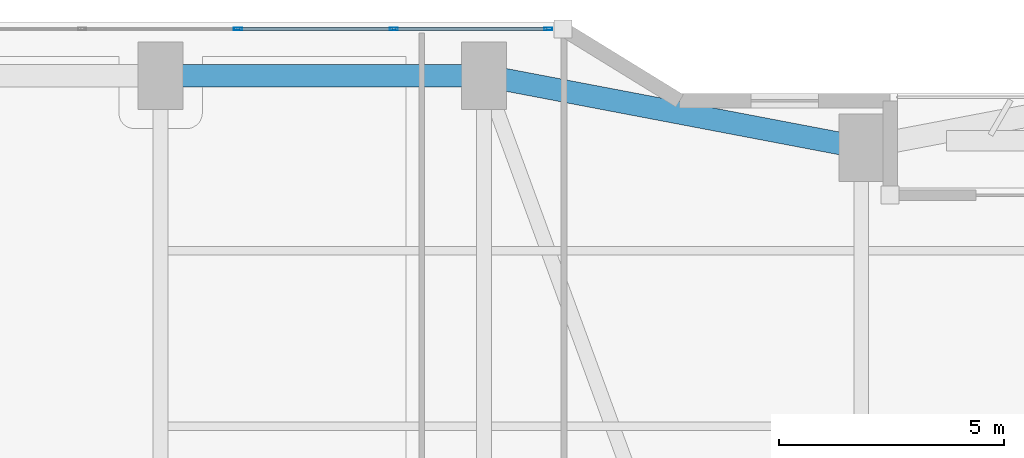
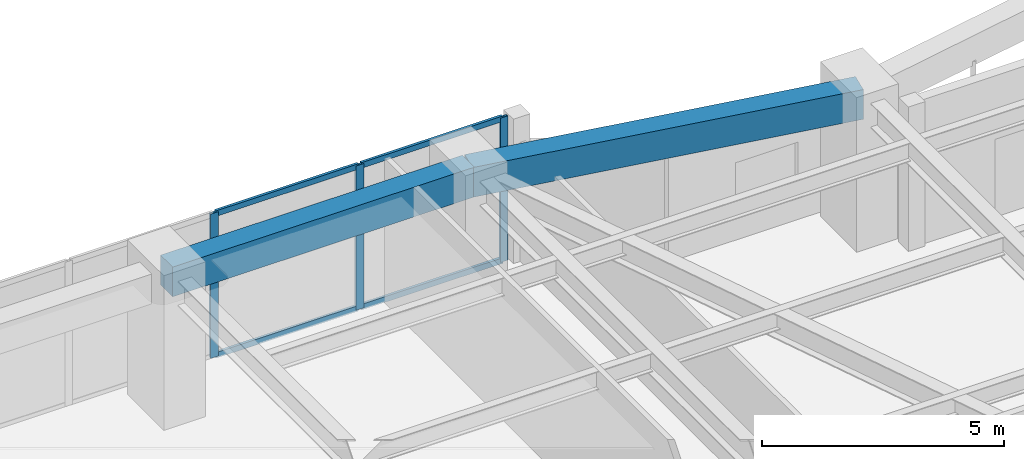
# One storey, part 14 of 24: 7 members, 2 beams, 1 element without a shape of its own.
"""IFC4 building model written with IfcOpenShell, lengths in metres."""

from ifc_helpers import new_model, si_unit, direction, frame, origin, origin_2d, place, context, subcontext, project, spatial, rectangle, hollow_rectangle, extrude, material, layer, layer_set, material_profile, profile_set, type_object, element, aggregate, save


model = new_model("IFC4")

# Units and contexts
model_context = context("Model", 3, precision=1e-05, world=origin(), true_north=direction((0.0, 1.0)))
body_context = subcontext(model_context, "Body", "Model", "MODEL_VIEW")
ifc_project = project(units=[si_unit("LENGTHUNIT", "METRE"), si_unit("AREAUNIT", "SQUARE_METRE"), si_unit("VOLUMEUNIT", "CUBIC_METRE"), si_unit("PLANEANGLEUNIT", "RADIAN"), si_unit("MASSUNIT", "GRAM", prefix="KILO")], contexts=[model_context])

# Site, building, storey
site_placement = place(None, origin())
site = spatial("IfcSite", under=ifc_project, at=site_placement, CompositionType="ELEMENT")
building_placement = place(site_placement, origin())
building = spatial("IfcBuilding", under=site, at=building_placement, Name="Kiyonajd Concourse Tower", CompositionType="ELEMENT")
storey_placement = place(building_placement, frame((0.0, 0.0, 85.800048828125)))
storey = spatial("IfcBuildingStorey", under=building, at=storey_placement, Name="L22", CompositionType="ELEMENT", Elevation=85.800048828125)

# Beams
ifc_material_1 = material(Name="Precast concrete C50/60", Category="concrete")
ifc_material_profile_1 = material_profile(ifc_material_1, rectangle(XDim=0.5, YDim=0.75, at=origin_2d()), Name="RCBM-500x750")
ifc_profile_set_1 = profile_set([ifc_material_profile_1], Name="Precast concrete C50/60")
beam_type = type_object("IfcBeamType", Name="BM-SPAN-RC", PredefinedType="SPANDREL", material=ifc_profile_set_1)
beam_1_placement = place(storey_placement, frame((48.0, 59.60009765625, 3.264892578125), z_axis=(-0.982341315253, 0.187097675953, 0.0), x_axis=(-0.187097675953, -0.982341315253, 0.0)))
element("IfcBeam", 1, at=beam_1_placement, inside=storey, type_object=beam_type, Name="L22 Perimeter Bundled Tube Spandrel", PredefinedType="SPANDREL", context=body_context, shape_type="SweptSolid", body=[
    extrude(rectangle(XDim=0.5, YDim=0.75, at=origin_2d()), origin(), (0.0, 0.0, 1.0), 8.55078125),
])
beam_2_placement = place(storey_placement, frame((39.60009765625, 61.199951171875, 3.264892578125), z_axis=(-1.0, 0.0, 0.0), x_axis=(0.0, -1.0, 0.0)))
element("IfcBeam", 2, at=beam_2_placement, inside=storey, type_object=beam_type, Name="L22 Perimeter Bundled Tube Spandrel", PredefinedType="SPANDREL", context=body_context, shape_type="SweptSolid", body=[
    extrude(rectangle(XDim=0.5, YDim=0.75, at=origin_2d()), origin(), (0.0, 0.0, 1.0), 7.2001953125),
])

# Curtain wall, members
ifc_material_2 = material(Name="Thermally Broken Anodised Aluminium", Category="aluminium")
ifc_layer = layer(ifc_material_2, 0.179931640625)
ifc_layer_set = layer_set([ifc_layer], Name="Thermally Broken Anodised Aluminium")
curtain_wall_type = type_object("IfcCurtainWallType", Name="CW-SYS-03", PredefinedType="NOTDEFINED", material=ifc_layer_set)
curtain_wall_placement = place(storey_placement, origin())
curtain_wall = element("IfcCurtainWall", 3, at=curtain_wall_placement, inside=storey, type_object=curtain_wall_type, Name="L22 Unitised Curtain Wall CW3", PredefinedType="NOTDEFINED")
ifc_material_profile_2 = material_profile(ifc_material_2, hollow_rectangle(XDim=0.06494140625, YDim=0.179931640625, WallThickness=0.00390625, at=origin_2d()), Name="MULL-65x180")
ifc_profile_set_2 = profile_set([ifc_material_profile_2], Name="Thermally Broken Anodised Aluminium")
member_type_1 = type_object("IfcMemberType", Name="MB-CW-MULL1", PredefinedType="MULLION", material=ifc_profile_set_2)
member_1_placement = place(storey_placement, frame((34.123291015625, 62.239990234375, 0.0), z_axis=(0.0, 0.0, 1.0), x_axis=(0.0, 1.0, 0.0)))
member_1 = element("IfcMember", 4, at=member_1_placement, type_object=member_type_1, Name="CW3 mullion 4", PredefinedType="MULLION", context=body_context, shape_type="SweptSolid", body=[
    extrude(hollow_rectangle(XDim=0.06494140625, YDim=0.179931640625, WallThickness=0.00390625, at=origin_2d()), origin(), (0.0, 0.0, 1.0), 3.639892578125),
])
member_2_placement = place(storey_placement, frame((37.593994140625, 62.239990234375, 0.0), z_axis=(0.0, 0.0, 1.0), x_axis=(0.0, 1.0, 0.0)))
member_2 = element("IfcMember", 5, at=member_2_placement, type_object=member_type_1, Name="CW3 mullion 5", PredefinedType="MULLION", context=body_context, shape_type="SweptSolid", body=[
    extrude(hollow_rectangle(XDim=0.06494140625, YDim=0.179931640625, WallThickness=0.00390625, at=origin_2d()), origin(), (0.0, 0.0, 1.0), 3.639892578125),
])
member_3_placement = place(storey_placement, frame((41.0322265625, 62.239990234375, 0.0), z_axis=(0.0, 0.0, 1.0), x_axis=(0.0, 1.0, 0.0)))
member_3 = element("IfcMember", 6, at=member_3_placement, type_object=member_type_1, Name="CW3 mullion 6", PredefinedType="MULLION", context=body_context, shape_type="SweptSolid", body=[
    extrude(hollow_rectangle(XDim=0.06494140625, YDim=0.179931640625, WallThickness=0.00390625, at=origin_2d()), origin(), (0.0, 0.0, 1.0), 3.639892578125),
])
ifc_material_profile_3 = material_profile(ifc_material_2, hollow_rectangle(XDim=0.06494140625, YDim=0.139892578125, WallThickness=0.00390625, at=origin_2d()), Name="TRAN-65x140")
ifc_profile_set_3 = profile_set([ifc_material_profile_3], Name="Thermally Broken Anodised Aluminium")
member_type_2 = type_object("IfcMemberType", Name="MB-CW-TRAN1", PredefinedType="USERDEFINED", material=ifc_profile_set_3)
member_4_placement = place(storey_placement, frame((34.15576171875, 62.239990234375, 0.032470703125), z_axis=(1.0, 0.0, 0.0), x_axis=(0.0, 1.0, 0.0)))
member_4 = element("IfcMember", 7, at=member_4_placement, type_object=member_type_2, Name="CW3 transom 4.1", ObjectType="TRANSOM", PredefinedType="USERDEFINED", context=body_context, shape_type="SweptSolid", body=[
    extrude(hollow_rectangle(XDim=0.06494140625, YDim=0.139892578125, WallThickness=0.00390625, at=origin_2d()), origin(), (0.0, 0.0, 1.0), 3.40576171875),
])
member_5_placement = place(storey_placement, frame((34.15576171875, 62.239990234375, 3.607421875), z_axis=(1.0, 0.0, 0.0), x_axis=(0.0, 1.0, 0.0)))
member_5 = element("IfcMember", 8, at=member_5_placement, type_object=member_type_2, Name="CW3 transom 4.2", ObjectType="TRANSOM", PredefinedType="USERDEFINED", context=body_context, shape_type="SweptSolid", body=[
    extrude(hollow_rectangle(XDim=0.06494140625, YDim=0.139892578125, WallThickness=0.00390625, at=origin_2d()), origin(), (0.0, 0.0, 1.0), 3.40576171875),
])
member_6_placement = place(storey_placement, frame((37.62646484375, 62.239990234375, 0.032470703125), z_axis=(1.0, 0.0, 0.0), x_axis=(0.0, 1.0, 0.0)))
member_6 = element("IfcMember", 9, at=member_6_placement, type_object=member_type_2, Name="CW3 transom 5.1", ObjectType="TRANSOM", PredefinedType="USERDEFINED", context=body_context, shape_type="SweptSolid", body=[
    extrude(hollow_rectangle(XDim=0.06494140625, YDim=0.139892578125, WallThickness=0.00390625, at=origin_2d()), origin(), (0.0, 0.0, 1.0), 3.373291015625),
])
member_7_placement = place(storey_placement, frame((37.62646484375, 62.239990234375, 3.607421875), z_axis=(1.0, 0.0, 0.0), x_axis=(0.0, 1.0, 0.0)))
member_7 = element("IfcMember", 10, at=member_7_placement, type_object=member_type_2, Name="CW3 transom 5.2", ObjectType="TRANSOM", PredefinedType="USERDEFINED", context=body_context, shape_type="SweptSolid", body=[
    extrude(hollow_rectangle(XDim=0.06494140625, YDim=0.139892578125, WallThickness=0.00390625, at=origin_2d()), origin(), (0.0, 0.0, 1.0), 3.373291015625),
])
aggregate(curtain_wall, [member_1, member_2, member_3, member_4, member_5, member_6, member_7])

save(model, "model.ifc")
